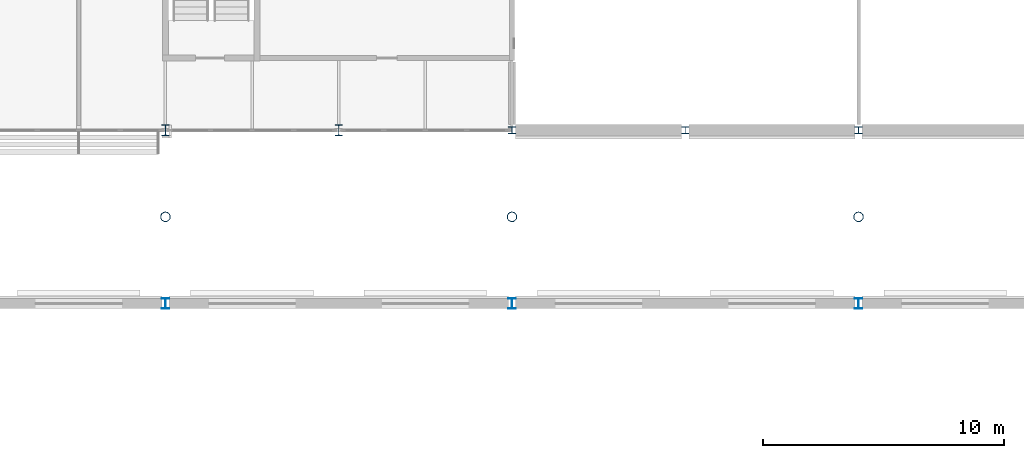
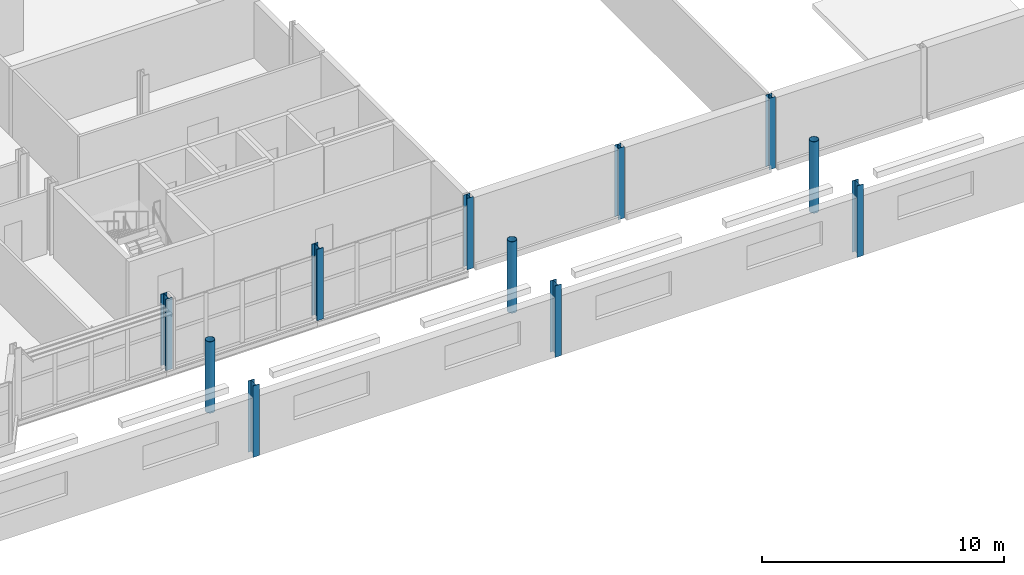
# One storey, part 18 of 124: 11 columns.
"""IFC4 building model written with IfcOpenShell, lengths in metres."""

from ifc_helpers import new_model, si_unit, direction, frame, origin, origin_2d, place, context, subcontext, project, spatial, hollow_circle, i_section, extrude, material, material_profile, profile_set, type_object, element, save


model = new_model("IFC4")

# Units and contexts
model_context = context("Model", 3, precision=1e-05, world=origin(), true_north=direction((0.0, 1.0)))
body_context = subcontext(model_context, "Body", "Model", "MODEL_VIEW")
ifc_project = project(units=[si_unit("LENGTHUNIT", "METRE"), si_unit("AREAUNIT", "SQUARE_METRE"), si_unit("VOLUMEUNIT", "CUBIC_METRE"), si_unit("PLANEANGLEUNIT", "RADIAN"), si_unit("MASSUNIT", "GRAM", prefix="KILO")], contexts=[model_context])

# Site, building, storey
site_placement = place(None, origin())
site = spatial("IfcSite", under=ifc_project, at=site_placement, CompositionType="ELEMENT")
building_placement = place(site_placement, origin())
building = spatial("IfcBuilding", under=site, at=building_placement, Name="Kupolbacken Congress Centre", CompositionType="ELEMENT")
storey_placement = place(building_placement, frame((0.0, 0.0, 10.800048828125)))
storey = spatial("IfcBuildingStorey", under=building, at=storey_placement, Name="L03", CompositionType="ELEMENT", Elevation=10.800048828125)

# Columns
ifc_material_1 = material(Name="Steel S355", Category="steel")
ifc_material_profile_1 = material_profile(ifc_material_1, i_section(OverallWidth=0.300048828125, OverallDepth=0.449951171875, WebThickness=0.013916015625, FlangeThickness=0.02587890625, FilletRadius=0.027099609375, at=origin_2d()), Name="HEB 450")
ifc_profile_set_1 = profile_set([ifc_material_profile_1], Name="Steel S355")
column_type_1 = type_object("IfcColumnType", Name="C03 column HEB 450", PredefinedType="COLUMN", material=ifc_profile_set_1)
for number, where, z_axis, x_axis, name in (
    (1, (144.0, 122.39990234375, 0.0), (0.0, 0.0, 1.0), (1.0, 0.0, 0.0), "S/col/C-BF-21T/L03"),
    (2, (136.800048828125, 122.39990234375, 0.0), (0.0, 0.0, 1.0), (1.0, 0.0, 0.0), "S/col/C-T-20T/L03"),
):
    element("IfcColumn", number, at=place(storey_placement, frame(where, z_axis=z_axis, x_axis=x_axis)), inside=storey, type_object=column_type_1, Name=name, PredefinedType="COLUMN", context=body_context, shape_type="SweptSolid", body=[
        extrude(i_section(OverallWidth=0.300048828125, OverallDepth=0.449951171875, WebThickness=0.013916015625, FlangeThickness=0.02587890625, FilletRadius=0.027099609375, at=origin_2d()), origin(), (0.0, 0.0, 1.0), 3.599853515625),
    ])
ifc_material_2 = material(Name="Steel S355", Category="steel")
ifc_material_profile_2 = material_profile(ifc_material_2, i_section(OverallWidth=0.300048828125, OverallDepth=0.300048828125, WebThickness=0.010986328125, FlangeThickness=0.01904296875, FilletRadius=0.027099609375, at=origin_2d()), Name="HEB 300")
ifc_profile_set_2 = profile_set([ifc_material_profile_2], Name="Steel S355")
column_type_2 = type_object("IfcColumnType", Name="C06 column HEB 300", PredefinedType="COLUMN", material=ifc_profile_set_2)
for number, where, z_axis, x_axis, name in (
    (3, (151.199951171875, 122.39990234375, 0.0), (0.0, 0.0, 1.0), (1.0, 0.0, 0.0), "S/col/C-B-B1S/L03"),
    (4, (158.39990234375, 122.39990234375, 0.0), (0.0, 0.0, 1.0), (1.0, 0.0, 0.0), "S/col/C-B-B2S/L03"),
    (5, (165.60009765625, 122.39990234375, 0.0), (0.0, 0.0, 1.0), (1.0, 0.0, 0.0), "S/col/C-B-B3S/L03"),
):
    element("IfcColumn", number, at=place(storey_placement, frame(where, z_axis=z_axis, x_axis=x_axis)), inside=storey, type_object=column_type_2, Name=name, PredefinedType="COLUMN", context=body_context, shape_type="SweptSolid", body=[
        extrude(i_section(OverallWidth=0.300048828125, OverallDepth=0.300048828125, WebThickness=0.010986328125, FlangeThickness=0.01904296875, FilletRadius=0.027099609375, at=origin_2d()), origin(), (0.0, 0.0, 1.0), 3.599853515625),
    ])
ifc_material_3 = material(Name="Steel S355", Category="steel")
ifc_material_profile_3 = material_profile(ifc_material_3, i_section(OverallWidth=0.300048828125, OverallDepth=0.43994140625, WebThickness=0.011474609375, FlangeThickness=0.02099609375, FilletRadius=0.027099609375, at=origin_2d()), Name="HEA 450")
ifc_profile_set_3 = profile_set([ifc_material_profile_3], Name="Steel S355")
column_type_3 = type_object("IfcColumnType", Name="C07 column HEA 450", PredefinedType="COLUMN", material=ifc_profile_set_3)
for number, where, z_axis, x_axis, name in (
    (6, (136.800048828125, 115.199951171875, 0.0), (0.0, 0.0, 1.0), (1.0, 0.0, 0.0), "S/col/C-H-T4N/L03"),
    (7, (151.199951171875, 115.199951171875, 0.0), (0.0, 0.0, 1.0), (1.0, 0.0, 0.0), "S/col/C-H-T5N/L03"),
    (8, (165.60009765625, 115.199951171875, 0.0), (0.0, 0.0, 1.0), (1.0, 0.0, 0.0), "S/col/C-H-T6N/L03"),
):
    element("IfcColumn", number, at=place(storey_placement, frame(where, z_axis=z_axis, x_axis=x_axis)), inside=storey, type_object=column_type_3, Name=name, PredefinedType="COLUMN", context=body_context, shape_type="SweptSolid", body=[
        extrude(i_section(OverallWidth=0.300048828125, OverallDepth=0.43994140625, WebThickness=0.011474609375, FlangeThickness=0.02099609375, FilletRadius=0.027099609375, at=origin_2d()), origin(), (0.0, 0.0, 1.0), 3.599853515625),
    ])
ifc_material_4 = material(Name="Steel S355", Category="steel")
ifc_material_profile_4 = material_profile(ifc_material_4, hollow_circle(Radius=0.203125, WallThickness=0.01611328125, at=origin_2d()), Name="CHS 406.4 x 16")
ifc_profile_set_4 = profile_set([ifc_material_profile_4], Name="Steel S355")
column_type_4 = type_object("IfcColumnType", Name="C15 roof mast CHS 406.4 x 16", PredefinedType="COLUMN", material=ifc_profile_set_4)
for number, where, z_axis, x_axis, name in (
    (9, (136.800048828125, 118.800048828125, 0.0), (0.0, 0.0, 1.0), (1.0, 0.0, 0.0), "Roof mast M4N"),
    (10, (151.199951171875, 118.800048828125, 0.0), (0.0, 0.0, 1.0), (1.0, 0.0, 0.0), "Roof mast M5N"),
    (11, (165.60009765625, 118.800048828125, 0.0), (0.0, 0.0, 1.0), (1.0, 0.0, 0.0), "Roof mast M6N"),
):
    element("IfcColumn", number, at=place(storey_placement, frame(where, z_axis=z_axis, x_axis=x_axis)), inside=storey, type_object=column_type_4, Name=name, PredefinedType="COLUMN", context=body_context, shape_type="SweptSolid", body=[
        extrude(hollow_circle(Radius=0.203125, WallThickness=0.01611328125, at=origin_2d()), origin(), (0.0, 0.0, 1.0), 3.599853515625),
    ])

save(model, "model.ifc")
